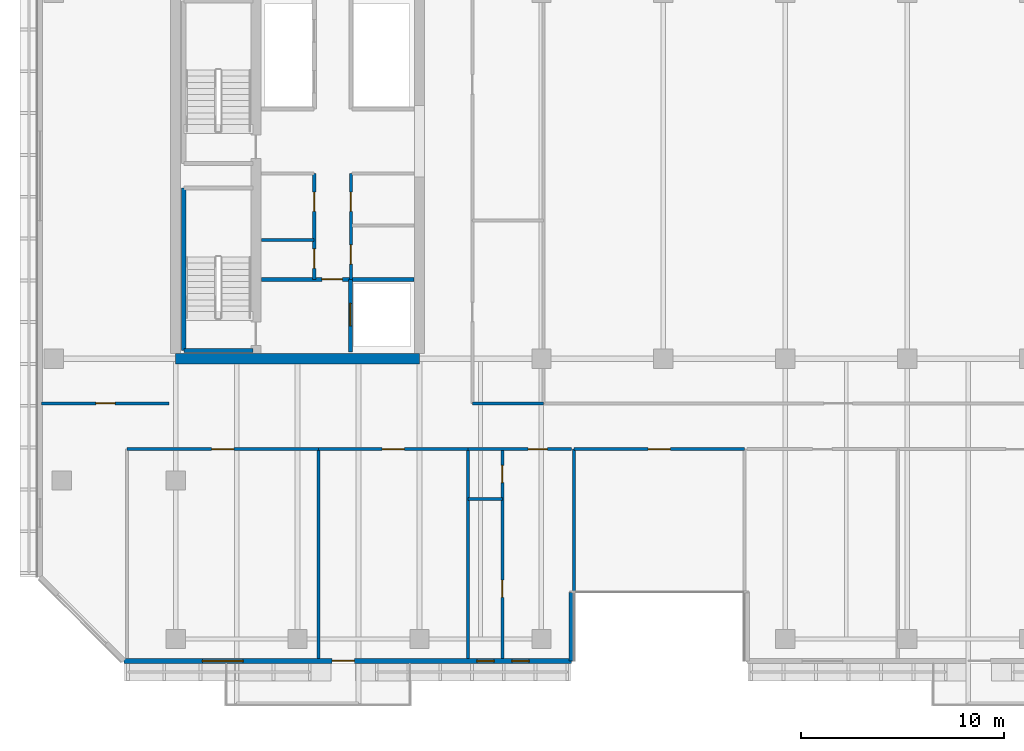
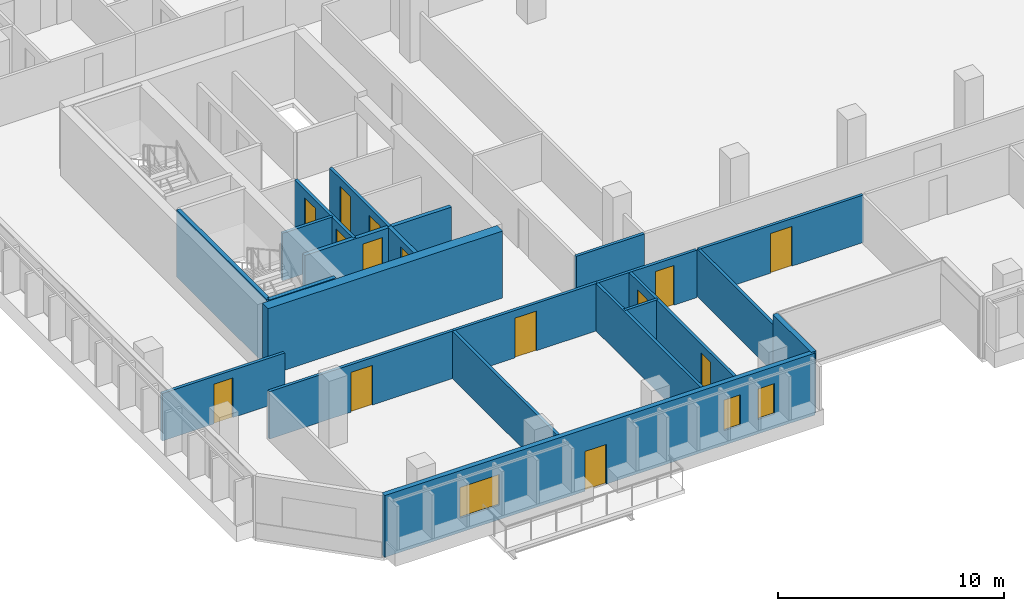
# One storey, part 10 of 23: 21 walls, 14 doors, 3 windows, 17 openings.
"""IFC4 building model written with IfcOpenShell, lengths in metres."""

import ifcopenshell
import ifcopenshell.guid

model = None  # the IFC model being written
_history = None  # IfcOwnerHistory: only IFC2X3 demands one
_inside = {}  # id of a spatial element -> (the spatial element, [elements in it])
_under = {}  # id of a project, library or spatial element -> (it, [spatial elements below it])
_declared = {}  # id of a project -> (the project, [libraries it declares])
_typed = {}  # id of a type object -> (the type object, [elements of that type])
_made_of = {}  # id of a material, layer set ... -> (it, [elements and type objects made of it])


def new_model(schema):
    """Start an empty IFC model of exactly this schema.

    Asked for "IFC4X3", IfcOpenShell would pick the latest addendum, in which some entities
    have other attributes; the version numbers below select the first issue.
    IFC2X3 requires an IfcOwnerHistory on every rooted entity: one is made here for all.
    """
    global model, _history
    if schema == "IFC4X3":
        model = ifcopenshell.file(schema_version=(4, 3, 0, 0))
    else:
        model = ifcopenshell.file(schema=schema)
    _inside.clear()
    _under.clear()
    _declared.clear()
    _typed.clear()
    _made_of.clear()
    _history = None
    if model.schema == "IFC2X3":
        org = make("IfcOrganization", Name="unknown")
        user = make(
            "IfcPersonAndOrganization",
            ThePerson=make("IfcPerson", FamilyName="unknown"),
            TheOrganization=org,
        )
        app = make(
            "IfcApplication",
            ApplicationDeveloper=org,
            Version="unknown",
            ApplicationFullName="unknown",
            ApplicationIdentifier="unknown",
        )
        _history = make(
            "IfcOwnerHistory",
            OwningUser=user,
            OwningApplication=app,
            ChangeAction="ADDED",
            CreationDate=0,
        )
    return model


def make(cls, **values):
    """One entity of the class cls with the attributes given. An attribute that is None is left unset."""
    return model.create_entity(
        cls, **{name: value for name, value in values.items() if value is not None}
    )


def rooted(cls, **values):
    """An entity with a GlobalId (a new one), such as an element, a storey or a relation."""
    return make(cls, GlobalId=ifcopenshell.guid.new(), OwnerHistory=_history, **values)


def si_unit(unit_type, name, prefix=None):
    """IfcSIUnit, for example si_unit("LENGTHUNIT", "METRE", prefix="MILLI")."""
    return make("IfcSIUnit", UnitType=unit_type, Prefix=prefix, Name=name)


def assignment(units):
    """IfcUnitAssignment: the units of a project."""
    return None if units is None else make("IfcUnitAssignment", Units=units)


def point(xyz):
    """IfcCartesianPoint."""
    return None if xyz is None else make("IfcCartesianPoint", Coordinates=xyz)


def direction(xyz):
    """IfcDirection."""
    return None if xyz is None else make("IfcDirection", DirectionRatios=xyz)


def frame(location, z_axis=None, x_axis=None):
    """IfcAxis2Placement3D, a coordinate frame: its origin and axes. An axis left out is left unset."""
    return make(
        "IfcAxis2Placement3D",
        Location=point(location),
        Axis=direction(z_axis),
        RefDirection=direction(x_axis),
    )


def frame_2d(location, x_axis=None):
    """IfcAxis2Placement2D, a coordinate frame in the plane: its origin and x axis."""
    return make(
        "IfcAxis2Placement2D", Location=point(location), RefDirection=direction(x_axis)
    )


def origin():
    """The frame at (0, 0, 0) with its axes left unset."""
    return frame((0.0, 0.0, 0.0))


def place(relative_to, where):
    """IfcLocalPlacement: puts the frame where relative to a parent placement (None: the world)."""
    return make(
        "IfcLocalPlacement", PlacementRelTo=relative_to, RelativePlacement=where
    )


def context(
    kind, dimensions, precision=None, world=None, true_north=None, identifier=None
):
    """IfcGeometricRepresentationContext, for example the 3D "Model" context."""
    return make(
        "IfcGeometricRepresentationContext",
        ContextIdentifier=identifier,
        ContextType=kind,
        CoordinateSpaceDimension=dimensions,
        Precision=precision,
        WorldCoordinateSystem=world,
        TrueNorth=true_north,
    )


def subcontext(parent, identifier, kind, view, scale=None):
    """IfcGeometricRepresentationSubContext, for example "Body" below "Model"."""
    return make(
        "IfcGeometricRepresentationSubContext",
        ContextIdentifier=identifier,
        ContextType=kind,
        ParentContext=parent,
        TargetScale=scale,
        TargetView=view,
    )


def project(units=None, contexts=None):
    """IfcProject with its units and contexts."""
    return rooted(
        "IfcProject",
        Name="project",
        RepresentationContexts=contexts,
        UnitsInContext=assignment(units),
    )


def spatial(cls, under=None, at=None, **own):
    """A site, building, storey or space (cls), placed at a placement, below another one or the project."""
    s = rooted(cls, ObjectPlacement=at, **own)
    if under is not None:
        _under.setdefault(under.id(), (under, []))[1].append(s)
    return s


def profile(cls, at=None, kind="AREA", **sizes):
    """A parametric profile (cls). Its sizes go by their IFC names, for example OverallWidth=200.0."""
    return make(cls, ProfileType=kind, Position=at, **sizes)


def rectangle(**sizes):
    """IfcRectangleProfileDef."""
    return profile("IfcRectangleProfileDef", **sizes)


def extrude(swept, where, along, depth):
    """IfcExtrudedAreaSolid: the profile swept, set in the frame where, extruded along a direction by depth."""
    return make(
        "IfcExtrudedAreaSolid",
        SweptArea=swept,
        Position=where,
        ExtrudedDirection=direction(along),
        Depth=depth,
    )


def shape(context_of_items, identifier, shape_type, items):
    """IfcShapeRepresentation: the items that make up one representation, for example the "Body"."""
    return make(
        "IfcShapeRepresentation",
        ContextOfItems=context_of_items,
        RepresentationIdentifier=identifier,
        RepresentationType=shape_type,
        Items=items,
    )


def material(Name=None, Category=None):
    """IfcMaterial."""
    return make("IfcMaterial", Name=Name, Category=Category)


def layer(
    of_material, thickness, ventilated=None, Name=None, Category=None, Priority=None
):
    """IfcMaterialLayer: one layer of a wall or slab, of a material (None: an air gap)."""
    return make(
        "IfcMaterialLayer",
        Material=of_material,
        LayerThickness=thickness,
        IsVentilated=ventilated,
        Name=Name,
        Category=Category,
        Priority=Priority,
    )


def layer_set(layers, Name=None):
    """IfcMaterialLayerSet."""
    return make("IfcMaterialLayerSet", MaterialLayers=layers, LayerSetName=Name)


def made_of(thing, what):
    """Note that an element or type object is made of a material, layer set ...; save() writes the relation."""
    if what is not None:
        _made_of.setdefault(what.id(), (what, []))[1].append(thing)
    return thing


def type_object(cls, material=None, **own):
    """A type object (cls), such as IfcWallType, which elements share."""
    return made_of(rooted(cls, **own), material)


def element(
    cls,
    number,
    at=None,
    inside=None,
    cuts=None,
    type_object=None,
    material=None,
    context=None,
    identifier="Body",
    shape_type=None,
    held_by="IfcProductDefinitionShape",
    body=None,
    shapes=None,
    **own,
):
    """One element of the class cls, such as IfcWall. Its Tag is "e" and its number.

    at: its placement. inside: the storey or other place that contains it. cuts: it is an
    opening in that element (IfcRelVoidsElement). A single representation is given by context,
    identifier, shape_type and body (its items); several are given by shapes. held_by: the class
    of the entity that holds the representations. save() writes the other relations.
    """
    e = rooted(cls, Tag="e%d" % number, ObjectPlacement=at, **own)
    if body is not None:
        shapes = [shape(context, identifier, shape_type, body)]
    if shapes is not None:
        e.Representation = make(held_by, Representations=shapes)
    if inside is not None:
        _inside.setdefault(inside.id(), (inside, []))[1].append(e)
    if cuts is not None:
        rooted(
            "IfcRelVoidsElement", RelatingBuildingElement=cuts, RelatedOpeningElement=e
        )
    if type_object is not None:
        _typed.setdefault(type_object.id(), (type_object, []))[1].append(e)
    return made_of(e, material)


def fill(opening, filler):
    """IfcRelFillsElement: the door or window that sits in an opening."""
    return rooted(
        "IfcRelFillsElement",
        RelatingOpeningElement=opening,
        RelatedBuildingElement=filler,
    )


def aggregate(whole, parts):
    """IfcRelAggregates: a whole, such as a stair, and the parts it consists of."""
    return rooted("IfcRelAggregates", RelatingObject=whole, RelatedObjects=parts)


def save(model, path):
    """Write the relations noted so far, then the file.

    IfcRelAggregates (storeys below a building ...), IfcRelContainedInSpatialStructure (elements
    in a storey), IfcRelDefinesByType, IfcRelAssociatesMaterial and IfcRelDeclares: one each for
    every whole, place, type object, material and project.
    """
    for whole, parts in _under.values():
        aggregate(whole, parts)
    for where, things in _inside.values():
        rooted(
            "IfcRelContainedInSpatialStructure",
            RelatedElements=things,
            RelatingStructure=where,
        )
    for kind, things in _typed.values():
        rooted("IfcRelDefinesByType", RelatedObjects=things, RelatingType=kind)
    for what, things in _made_of.values():
        rooted("IfcRelAssociatesMaterial", RelatedObjects=things, RelatingMaterial=what)
    for by, libraries in _declared.values():
        rooted("IfcRelDeclares", RelatingContext=by, RelatedDefinitions=libraries)
    model.write(path)


model = new_model("IFC4")

# Units and contexts
model_context = context("Model", 3, precision=1e-05, world=origin(), true_north=direction((0.0, 1.0)))
body_context = subcontext(model_context, "Body", "Model", "MODEL_VIEW")
ifc_project = project(units=[si_unit("LENGTHUNIT", "METRE"), si_unit("AREAUNIT", "SQUARE_METRE"), si_unit("VOLUMEUNIT", "CUBIC_METRE"), si_unit("PLANEANGLEUNIT", "RADIAN"), si_unit("MASSUNIT", "GRAM", prefix="KILO")], contexts=[model_context])

# Site, building, storey
site_placement = place(None, origin())
site = spatial("IfcSite", under=ifc_project, at=site_placement, CompositionType="ELEMENT")
building_placement = place(site_placement, origin())
building = spatial("IfcBuilding", under=site, at=building_placement, Name="Tanjung Sevakor Pilgrim Tower", CompositionType="ELEMENT")
storey_placement = place(building_placement, frame((0.0, 0.0, 119.4599609375)))
storey = spatial("IfcBuildingStorey", under=building, at=storey_placement, Name="L33", CompositionType="ELEMENT", Elevation=119.4599609375)

# Walls
ifc_material_1 = material(Name="Concrete C60/75", Category="concrete")
ifc_layer_1 = layer(ifc_material_1, 0.5)
ifc_layer_set_1 = layer_set([ifc_layer_1], Name="WALL-CW-500")
wall_type_1 = type_object("IfcWallType", Name="WALL-CW-500", PredefinedType="SHEAR", material=ifc_layer_set_1)
wall_1_placement = place(storey_placement, frame((24.0, 24.60009765625, 0.0), z_axis=(0.0, 0.0, 1.0), x_axis=(1.0, 0.0, 0.0)))
element("IfcWall", 1, at=wall_1_placement, inside=storey, type_object=wall_type_1, Name="L33 W Core South Shear Wall", PredefinedType="SHEAR", context=body_context, shape_type="SweptSolid", body=[
    extrude(rectangle(XDim=12.0, YDim=0.5, at=frame_2d((6.0, 0.0))), origin(), (0.0, 0.0, 1.0), 3.630126953125),
])
ifc_material_2 = material(Name="Concrete C40/50", Category="concrete")
ifc_layer_2 = layer(ifc_material_2, 0.14990234375)
ifc_layer_set_2 = layer_set([ifc_layer_2], Name="WT-COMP-150")
wall_type_2 = type_object("IfcWallType", Name="WT-COMP-150", PredefinedType="SOLIDWALL", material=ifc_layer_set_2)
wall_2_placement = place(storey_placement, frame((28.219970703125, 30.449951171875, 0.0), z_axis=(0.0, 0.0, 1.0), x_axis=(1.0, 0.0, 0.0)))
element("IfcWall", 2, at=wall_2_placement, inside=storey, type_object=wall_type_2, Name="L33 Partition IW-L33-003", PredefinedType="SOLIDWALL", context=body_context, shape_type="SweptSolid", body=[
    extrude(rectangle(XDim=2.580078125, YDim=0.14990234375, at=frame_2d((1.2900390625, 0.0))), origin(), (0.0, 0.0, 1.0), 2.570068359375),
])

# Wall, openings, doors
wall_3_placement = place(storey_placement, frame((30.820068359375, 28.5, 0.0), z_axis=(0.0, 0.0, 1.0), x_axis=(0.0, 1.0, 0.0)))
wall_3 = element("IfcWall", 3, at=wall_3_placement, inside=storey, type_object=wall_type_2, Name="L33 Partition IW-L33-005", PredefinedType="SOLIDWALL", context=body_context, shape_type="SweptSolid", body=[
    extrude(rectangle(XDim=5.219970703125, YDim=0.14990234375, at=frame_2d((2.60986328125, 0.0))), origin(), (0.0, 0.0, 1.0), 2.570068359375),
])
opening_1_placement = place(wall_3_placement, frame((0.550048828125, 0.0, 0.0)))
opening_1 = element("IfcOpeningElement", 4, at=opening_1_placement, cuts=wall_3, Name="Opening ID-FD2", PredefinedType="OPENING", context=body_context, shape_type="SweptSolid", body=[
    extrude(rectangle(XDim=0.949951171875, YDim=2.14990234375, at=frame_2d((0.47509765625, 1.074951171875))), frame((0.0, 0.0849609375, 0.0), z_axis=(0.0, -1.0, 0.0), x_axis=(1.0, 0.0, 0.0)), (0.0, 0.0, 1.0), 0.169921875),
])
opening_2_placement = place(wall_3_placement, frame((3.35009765625, 0.0, 0.0)))
opening_2 = element("IfcOpeningElement", 5, at=opening_2_placement, cuts=wall_3, Name="Opening ID-FD2", PredefinedType="OPENING", context=body_context, shape_type="SweptSolid", body=[
    extrude(rectangle(XDim=0.949951171875, YDim=2.14990234375, at=frame_2d((0.47509765625, 1.074951171875))), frame((0.0, 0.0849609375, 0.0), z_axis=(0.0, -1.0, 0.0), x_axis=(1.0, 0.0, 0.0)), (0.0, 0.0, 1.0), 0.169921875),
])
ifc_material_3 = material(Name="Fire-Rated Timber", Category="wood")
door_type_1 = type_object("IfcDoorType", Name="DT-FIRE-950", OperationType="NOTDEFINED", PredefinedType="DOOR", material=ifc_material_3)
door_1_placement = place(opening_1_placement, origin())
door_1 = element("IfcDoor", 6, at=door_1_placement, inside=storey, type_object=door_type_1, Name="L33 Cleaner Store Door", OperationType="SINGLE_SWING_LEFT", OverallHeight=2.14990234375, OverallWidth=0.949951171875, PredefinedType="DOOR", context=body_context, shape_type="SweptSolid", body=[
    extrude(rectangle(XDim=0.949951171875, YDim=2.14990234375, at=frame_2d((0.47509765625, 1.074951171875))), frame((0.0, 0.02490234375, 0.0), z_axis=(0.0, -1.0, 0.0), x_axis=(1.0, 0.0, 0.0)), (0.0, 0.0, 1.0), 0.050048828125),
])
fill(opening_1, door_1)
door_2_placement = place(opening_2_placement, origin())
door_2 = element("IfcDoor", 7, at=door_2_placement, inside=storey, type_object=door_type_1, Name="L33 Housekeeping Pantry Door", OperationType="SINGLE_SWING_RIGHT", OverallHeight=2.14990234375, OverallWidth=0.949951171875, PredefinedType="DOOR", context=body_context, shape_type="SweptSolid", body=[
    extrude(rectangle(XDim=0.949951171875, YDim=2.14990234375, at=frame_2d((0.47509765625, 1.074951171875))), frame((0.0, 0.02490234375, 0.0), z_axis=(0.0, -1.0, 0.0), x_axis=(1.0, 0.0, 0.0)), (0.0, 0.0, 1.0), 0.050048828125),
])
fill(opening_2, door_2)

wall_4_placement = place(storey_placement, frame((32.6201171875, 28.5, 0.0), z_axis=(0.0, 0.0, 1.0), x_axis=(0.0, 1.0, 0.0)))
wall_4 = element("IfcWall", 8, at=wall_4_placement, inside=storey, type_object=wall_type_2, Name="L33 Partition IW-L33-008", PredefinedType="SOLIDWALL", context=body_context, shape_type="SweptSolid", body=[
    extrude(rectangle(XDim=5.219970703125, YDim=0.14990234375, at=frame_2d((2.60986328125, 0.0))), origin(), (0.0, 0.0, 1.0), 2.570068359375),
])
opening_3_placement = place(wall_4_placement, frame((0.75, 0.0, 0.0)))
opening_3 = element("IfcOpeningElement", 9, at=opening_3_placement, cuts=wall_4, Name="Opening ID-FD2", PredefinedType="OPENING", context=body_context, shape_type="SweptSolid", body=[
    extrude(rectangle(XDim=0.949951171875, YDim=2.14990234375, at=frame_2d((0.47509765625, 1.074951171875))), frame((0.0, 0.0849609375, 0.0), z_axis=(0.0, -1.0, 0.0), x_axis=(1.0, 0.0, 0.0)), (0.0, 0.0, 1.0), 0.169921875),
])
opening_4_placement = place(wall_4_placement, frame((3.35009765625, 0.0, 0.0)))
opening_4 = element("IfcOpeningElement", 10, at=opening_4_placement, cuts=wall_4, Name="Opening ID-FD2", PredefinedType="OPENING", context=body_context, shape_type="SweptSolid", body=[
    extrude(rectangle(XDim=0.949951171875, YDim=2.14990234375, at=frame_2d((0.47509765625, 1.074951171875))), frame((0.0, 0.0849609375, 0.0), z_axis=(0.0, -1.0, 0.0), x_axis=(1.0, 0.0, 0.0)), (0.0, 0.0, 1.0), 0.169921875),
])
door_3_placement = place(opening_3_placement, origin())
door_3 = element("IfcDoor", 11, at=door_3_placement, inside=storey, type_object=door_type_1, Name="L33 Accessible WC Door", OperationType="SINGLE_SWING_LEFT", OverallHeight=2.14990234375, OverallWidth=0.949951171875, PredefinedType="DOOR", context=body_context, shape_type="SweptSolid", body=[
    extrude(rectangle(XDim=0.949951171875, YDim=2.14990234375, at=frame_2d((0.47509765625, 1.074951171875))), frame((0.0, 0.02490234375, 0.0), z_axis=(0.0, -1.0, 0.0), x_axis=(1.0, 0.0, 0.0)), (0.0, 0.0, 1.0), 0.050048828125),
])
fill(opening_3, door_3)
door_4_placement = place(opening_4_placement, origin())
door_4 = element("IfcDoor", 12, at=door_4_placement, inside=storey, type_object=door_type_1, Name="L33 Core Service Door", OperationType="SINGLE_SWING_RIGHT", OverallHeight=2.14990234375, OverallWidth=0.949951171875, PredefinedType="DOOR", context=body_context, shape_type="SweptSolid", body=[
    extrude(rectangle(XDim=0.949951171875, YDim=2.14990234375, at=frame_2d((0.47509765625, 1.074951171875))), frame((0.0, 0.02490234375, 0.0), z_axis=(0.0, -1.0, 0.0), x_axis=(1.0, 0.0, 0.0)), (0.0, 0.0, 1.0), 0.050048828125),
])
fill(opening_4, door_4)

# Wall
wall_5_placement = place(storey_placement, frame((38.60009765625, 22.39990234375, 0.0), z_axis=(0.0, 0.0, 1.0), x_axis=(1.0, 0.0, 0.0)))
element("IfcWall", 13, at=wall_5_placement, inside=storey, type_object=wall_type_2, Name="L33 Partition IW-L33-025", PredefinedType="SOLIDWALL", context=body_context, shape_type="SweptSolid", body=[
    extrude(rectangle(XDim=3.5, YDim=0.14990234375, at=frame_2d((1.75, 0.0))), origin(), (0.0, 0.0, 1.0), 2.570068359375),
])

# Wall, opening, door
wall_6_placement = place(storey_placement, frame((17.409912109375, 22.39990234375, 0.0), z_axis=(0.0, 0.0, 1.0), x_axis=(1.0, 0.0, 0.0)))
wall_6 = element("IfcWall", 14, at=wall_6_placement, inside=storey, type_object=wall_type_2, Name="L33 Partition IW-L33-039", PredefinedType="SOLIDWALL", context=body_context, shape_type="SweptSolid", body=[
    extrude(rectangle(XDim=6.27001953125, YDim=0.14990234375, at=frame_2d((3.135009765625, 0.0))), origin(), (0.0, 0.0, 1.0), 2.570068359375),
])
opening_5_placement = place(wall_6_placement, frame((2.659912109375, 0.0, 0.0)))
opening_5 = element("IfcOpeningElement", 15, at=opening_5_placement, cuts=wall_6, Name="Opening ID-FD2", PredefinedType="OPENING", context=body_context, shape_type="SweptSolid", body=[
    extrude(rectangle(XDim=0.949951171875, YDim=2.14990234375, at=frame_2d((0.47509765625, 1.074951171875))), frame((0.0, 0.0849609375, 0.0), z_axis=(0.0, -1.0, 0.0), x_axis=(1.0, 0.0, 0.0)), (0.0, 0.0, 1.0), 0.169921875),
])
door_5_placement = place(opening_5_placement, origin())
door_5 = element("IfcDoor", 16, at=door_5_placement, inside=storey, type_object=door_type_1, Name="Study Room Entrance", OperationType="SINGLE_SWING_RIGHT", OverallHeight=2.14990234375, OverallWidth=0.949951171875, PredefinedType="DOOR", context=body_context, shape_type="SweptSolid", body=[
    extrude(rectangle(XDim=0.949951171875, YDim=2.14990234375, at=frame_2d((0.47509765625, 1.074951171875))), frame((0.0, 0.02490234375, 0.0), z_axis=(0.0, -1.0, 0.0), x_axis=(1.0, 0.0, 0.0)), (0.0, 0.0, 1.0), 0.050048828125),
])
fill(opening_5, door_5)

wall_7_placement = place(storey_placement, frame((43.60009765625, 20.14990234375, 0.0), z_axis=(0.0, 0.0, 1.0), x_axis=(1.0, 0.0, 0.0)))
wall_7 = element("IfcWall", 17, at=wall_7_placement, inside=storey, type_object=wall_type_2, Name="L33 Partition IW-L33-047", PredefinedType="SOLIDWALL", context=body_context, shape_type="SweptSolid", body=[
    extrude(rectangle(XDim=8.39990234375, YDim=0.14990234375, at=frame_2d((4.199951171875, 0.0))), origin(), (0.0, 0.0, 1.0), 2.570068359375),
])
opening_6_placement = place(wall_7_placement, frame((3.64990234375, 0.0, 0.0)))
opening_6 = element("IfcOpeningElement", 18, at=opening_6_placement, cuts=wall_7, Name="Opening ID-RM2", PredefinedType="OPENING", context=body_context, shape_type="SweptSolid", body=[
    extrude(rectangle(XDim=1.10009765625, YDim=2.14990234375, at=frame_2d((0.550048828125, 1.074951171875))), frame((0.0, 0.0849609375, 0.0), z_axis=(0.0, -1.0, 0.0), x_axis=(1.0, 0.0, 0.0)), (0.0, 0.0, 1.0), 0.169921875),
])
ifc_material_4 = material(Name="Hardwood Timber", Category="wood")
door_type_2 = type_object("IfcDoorType", Name="DT-INT-1100", OperationType="NOTDEFINED", PredefinedType="DOOR", material=ifc_material_4)
door_6_placement = place(opening_6_placement, origin())
door_6 = element("IfcDoor", 19, at=door_6_placement, inside=storey, type_object=door_type_2, Name="L33 South Cleft Tea Sanctuary Door", OperationType="SINGLE_SWING_RIGHT", OverallHeight=2.14990234375, OverallWidth=1.10009765625, PredefinedType="DOOR", context=body_context, shape_type="SweptSolid", body=[
    extrude(rectangle(XDim=1.10009765625, YDim=2.14990234375, at=frame_2d((0.550048828125, 1.074951171875))), frame((0.0, 0.02490234375, 0.0), z_axis=(0.0, -1.0, 0.0), x_axis=(1.0, 0.0, 0.0)), (0.0, 0.0, 1.0), 0.050048828125),
])
fill(opening_6, door_6)

# Walls
for number, where, z_axis, x_axis, name in (
    (20, (43.60009765625, 9.85009765625, 0.0), (0.0, 0.0, 1.0), (0.0, 1.0, 0.0), "L33 Partition IW-L33-048"),
    (21, (31.031005859375, 9.85009765625, 0.0), (0.0, 0.0, 1.0), (0.0, 1.0, 0.0), "L33 Partition IW-L33-054"),
):
    element("IfcWall", number, at=place(storey_placement, frame(where, z_axis=z_axis, x_axis=x_axis)), inside=storey, type_object=wall_type_2, Name=name, PredefinedType="SOLIDWALL", context=body_context, shape_type="SweptSolid", body=[
        extrude(rectangle(XDim=10.2998046875, YDim=0.14990234375, at=frame_2d((5.14990234375, 0.0))), origin(), (0.0, 0.0, 1.0), 2.570068359375),
    ])

# Wall, opening, door
wall_8_placement = place(storey_placement, frame((21.60009765625, 20.14990234375, 0.0), z_axis=(0.0, 0.0, 1.0), x_axis=(1.0, 0.0, 0.0)))
wall_8 = element("IfcWall", 22, at=wall_8_placement, inside=storey, type_object=wall_type_2, Name="L33 Partition IW-L33-055", PredefinedType="SOLIDWALL", context=body_context, shape_type="SweptSolid", body=[
    extrude(rectangle(XDim=9.430908203125, YDim=0.14990234375, at=frame_2d((4.71533203125, 0.0))), origin(), (0.0, 0.0, 1.0), 2.570068359375),
])
opening_7_placement = place(wall_8_placement, frame((4.16552734375, 0.0, 0.0)))
opening_7 = element("IfcOpeningElement", 23, at=opening_7_placement, cuts=wall_8, Name="Opening ID-FD0", PredefinedType="OPENING", context=body_context, shape_type="SweptSolid", body=[
    extrude(rectangle(XDim=1.10009765625, YDim=2.14990234375, at=frame_2d((0.550048828125, 1.074951171875))), frame((0.0, 0.0849609375, 0.0), z_axis=(0.0, -1.0, 0.0), x_axis=(1.0, 0.0, 0.0)), (0.0, 0.0, 1.0), 0.169921875),
])
ifc_material_5 = material(Name="Fire-Rated Steel S355J2", Category="steel")
door_type_3 = type_object("IfcDoorType", Name="DT-FIRE-1100", OperationType="NOTDEFINED", PredefinedType="DOOR", material=ifc_material_5)
door_7_placement = place(opening_7_placement, origin())
door_7 = element("IfcDoor", 24, at=door_7_placement, inside=storey, type_object=door_type_3, Name="Communal Lounge Door", OperationType="SINGLE_SWING_RIGHT", OverallHeight=2.14990234375, OverallWidth=1.10009765625, PredefinedType="DOOR", context=body_context, shape_type="SweptSolid", body=[
    extrude(rectangle(XDim=1.10009765625, YDim=2.14990234375, at=frame_2d((0.550048828125, 1.074951171875))), frame((0.0, 0.02490234375, 0.0), z_axis=(0.0, -1.0, 0.0), x_axis=(1.0, 0.0, 0.0)), (0.0, 0.0, 1.0), 0.050048828125),
])
fill(opening_7, door_7)

# Wall
wall_9_placement = place(storey_placement, frame((38.38720703125, 9.85009765625, 0.0), z_axis=(0.0, 0.0, 1.0), x_axis=(0.0, 1.0, 0.0)))
element("IfcWall", 25, at=wall_9_placement, inside=storey, type_object=wall_type_2, Name="L33 Partition IW-L33-056", PredefinedType="SOLIDWALL", context=body_context, shape_type="SweptSolid", body=[
    extrude(rectangle(XDim=10.2998046875, YDim=0.14990234375, at=frame_2d((5.14990234375, 0.0))), origin(), (0.0, 0.0, 1.0), 2.570068359375),
])

# Wall, opening, door
wall_10_placement = place(storey_placement, frame((31.031005859375, 20.14990234375, 0.0), z_axis=(0.0, 0.0, 1.0), x_axis=(1.0, 0.0, 0.0)))
wall_10 = element("IfcWall", 26, at=wall_10_placement, inside=storey, type_object=wall_type_2, Name="L33 Partition IW-L33-057", PredefinedType="SOLIDWALL", context=body_context, shape_type="SweptSolid", body=[
    extrude(rectangle(XDim=7.356201171875, YDim=0.14990234375, at=frame_2d((3.67822265625, 0.0))), origin(), (0.0, 0.0, 1.0), 2.570068359375),
])
opening_8_placement = place(wall_10_placement, frame((3.128173828125, 0.0, 0.0)))
opening_8 = element("IfcOpeningElement", 27, at=opening_8_placement, cuts=wall_10, Name="Opening ID-FD0", PredefinedType="OPENING", context=body_context, shape_type="SweptSolid", body=[
    extrude(rectangle(XDim=1.10009765625, YDim=2.14990234375, at=frame_2d((0.550048828125, 1.074951171875))), frame((0.0, 0.0849609375, 0.0), z_axis=(0.0, -1.0, 0.0), x_axis=(1.0, 0.0, 0.0)), (0.0, 0.0, 1.0), 0.169921875),
])
door_8_placement = place(opening_8_placement, origin())
door_8 = element("IfcDoor", 28, at=door_8_placement, inside=storey, type_object=door_type_3, Name="Council Room Door", OperationType="SINGLE_SWING_LEFT", OverallHeight=2.14990234375, OverallWidth=1.10009765625, PredefinedType="DOOR", context=body_context, shape_type="SweptSolid", body=[
    extrude(rectangle(XDim=1.10009765625, YDim=2.14990234375, at=frame_2d((0.550048828125, 1.074951171875))), frame((0.0, 0.02490234375, 0.0), z_axis=(0.0, -1.0, 0.0), x_axis=(1.0, 0.0, 0.0)), (0.0, 0.0, 1.0), 0.050048828125),
])
fill(opening_8, door_8)

wall_11_placement = place(storey_placement, frame((38.38720703125, 20.14990234375, 0.0), z_axis=(0.0, 0.0, 1.0), x_axis=(1.0, 0.0, 0.0)))
wall_11 = element("IfcWall", 29, at=wall_11_placement, inside=storey, type_object=wall_type_2, Name="L33 Partition IW-L33-060", PredefinedType="SOLIDWALL", context=body_context, shape_type="SweptSolid", body=[
    extrude(rectangle(XDim=5.0927734375, YDim=0.14990234375, at=frame_2d((2.54638671875, 0.0))), origin(), (0.0, 0.0, 1.0), 2.570068359375),
])
opening_9_placement = place(wall_11_placement, frame((2.957763671875, 0.0, 0.0)))
opening_9 = element("IfcOpeningElement", 30, at=opening_9_placement, cuts=wall_11, Name="Opening ID-FD2", PredefinedType="OPENING", context=body_context, shape_type="SweptSolid", body=[
    extrude(rectangle(XDim=0.949951171875, YDim=2.14990234375, at=frame_2d((0.47509765625, 1.074951171875))), frame((0.0, 0.0849609375, 0.0), z_axis=(0.0, -1.0, 0.0), x_axis=(1.0, 0.0, 0.0)), (0.0, 0.0, 1.0), 0.169921875),
])
door_9_placement = place(opening_9_placement, origin())
door_9 = element("IfcDoor", 31, at=door_9_placement, inside=storey, type_object=door_type_1, Name="Hotel Guestroom Entrance", OperationType="SINGLE_SWING_RIGHT", OverallHeight=2.14990234375, OverallWidth=0.949951171875, PredefinedType="DOOR", context=body_context, shape_type="SweptSolid", body=[
    extrude(rectangle(XDim=0.949951171875, YDim=2.14990234375, at=frame_2d((0.47509765625, 1.074951171875))), frame((0.0, 0.02490234375, 0.0), z_axis=(0.0, -1.0, 0.0), x_axis=(1.0, 0.0, 0.0)), (0.0, 0.0, 1.0), 0.050048828125),
])
fill(opening_9, door_9)

# Wall, openings, door, windows
ifc_material_6 = material(Name="Precast concrete C45/55", Category="concrete")
ifc_layer_3 = layer(ifc_material_6, 0.25)
ifc_layer_set_3 = layer_set([ifc_layer_3], Name="WT-EW-STN3")
wall_type_3 = type_object("IfcWallType", Name="WT-EW-STN3", PredefinedType="SOLIDWALL", material=ifc_layer_set_3)
wall_12_placement = place(storey_placement, frame((21.451904296875, 9.72509765625, 0.0), z_axis=(0.0, 0.0, 1.0), x_axis=(1.0, 0.0, 0.0)))
wall_12 = element("IfcWall", 32, at=wall_12_placement, inside=storey, type_object=wall_type_3, Name="L33 MAIN Exterior Wall 1", PredefinedType="SOLIDWALL", context=body_context, shape_type="SweptSolid", body=[
    extrude(rectangle(XDim=22.023193359375, YDim=0.25, at=frame_2d((11.01171875, 0.0))), origin(), (0.0, 0.0, 1.0), 3.35009765625),
])
opening_10_placement = place(wall_12_placement, frame((10.248291015625, 0.0, 0.0)))
opening_10 = element("IfcOpeningElement", 33, at=opening_10_placement, cuts=wall_12, Name="Opening ED-BAL-1100", PredefinedType="OPENING", context=body_context, shape_type="SweptSolid", body=[
    extrude(rectangle(XDim=1.10009765625, YDim=2.14990234375, at=frame_2d((0.550048828125, 1.074951171875))), frame((0.0, 0.135009765625, 0.0), z_axis=(0.0, -1.0, 0.0), x_axis=(1.0, 0.0, 0.0)), (0.0, 0.0, 1.0), 0.27001953125),
])
opening_11_placement = place(wall_12_placement, frame((3.86376953125, 0.0, 0.780029296875)))
opening_11 = element("IfcOpeningElement", 34, at=opening_11_placement, cuts=wall_12, Name="Opening WN-Z2-1660", PredefinedType="OPENING", context=body_context, shape_type="SweptSolid", body=[
    extrude(rectangle(XDim=2.0, YDim=1.659912109375, at=frame_2d((1.0, 0.830078125))), frame((0.0, 0.135009765625, 0.0), z_axis=(0.0, -1.0, 0.0), x_axis=(1.0, 0.0, 0.0)), (0.0, 0.0, 1.0), 0.27001953125),
])
opening_12_placement = place(wall_12_placement, frame((17.36669921875, 0.0, 0.780029296875)))
opening_12 = element("IfcOpeningElement", 35, at=opening_12_placement, cuts=wall_12, Name="Opening WN-SLM", PredefinedType="OPENING", context=body_context, shape_type="SweptSolid", body=[
    extrude(rectangle(XDim=0.85009765625, YDim=1.64990234375, at=frame_2d((0.425048828125, 0.824951171875))), frame((0.0, 0.135009765625, 0.0), z_axis=(0.0, -1.0, 0.0), x_axis=(1.0, 0.0, 0.0)), (0.0, 0.0, 1.0), 0.27001953125),
])
opening_13_placement = place(wall_12_placement, frame((19.09326171875, 0.0, 0.780029296875)))
opening_13 = element("IfcOpeningElement", 36, at=opening_13_placement, cuts=wall_12, Name="Opening WN-SLM", PredefinedType="OPENING", context=body_context, shape_type="SweptSolid", body=[
    extrude(rectangle(XDim=0.85009765625, YDim=1.64990234375, at=frame_2d((0.425048828125, 0.824951171875))), frame((0.0, 0.135009765625, 0.0), z_axis=(0.0, -1.0, 0.0), x_axis=(1.0, 0.0, 0.0)), (0.0, 0.0, 1.0), 0.27001953125),
])
ifc_material_7 = material(Name="Anodised Aluminium and Laminated Glass", Category="aluminium")
door_type_4 = type_object("IfcDoorType", Name="DTYP-ED-BAL-1100", OperationType="NOTDEFINED", PredefinedType="DOOR", material=ifc_material_7)
door_10_placement = place(opening_10_placement, frame((1.10009765625, 0.0, 0.0), z_axis=(0.0, 0.0, 1.0), x_axis=(-1.0, 0.0, 0.0)))
door_10 = element("IfcDoor", 37, at=door_10_placement, inside=storey, type_object=door_type_4, Name="L33 Balcony Door MAIN-S1", OperationType="SINGLE_SWING_RIGHT", OverallHeight=2.14990234375, OverallWidth=1.10009765625, PredefinedType="DOOR", context=body_context, shape_type="SweptSolid", body=[
    extrude(rectangle(XDim=1.10009765625, YDim=2.14990234375, at=frame_2d((0.550048828125, 1.074951171875))), frame((0.0, 0.02490234375, 0.0), z_axis=(0.0, -1.0, 0.0), x_axis=(1.0, 0.0, 0.0)), (0.0, 0.0, 1.0), 0.050048828125),
])
fill(opening_10, door_10)
ifc_material_8 = material(Name="Thermally Broken Aluminium and Low-E Glass", Category="aluminium")
window_type_1 = type_object("IfcWindowType", Name="WTYP-WN-SLM", PartitioningType="SINGLE_PANEL", PredefinedType="WINDOW", material=ifc_material_8)
window_1_placement = place(opening_12_placement, origin())
window_1 = element("IfcWindow", 38, at=window_1_placement, inside=storey, type_object=window_type_1, Name="L33 Facade Window 02", OverallHeight=1.64990234375, OverallWidth=0.85009765625, PartitioningType="SINGLE_PANEL", PredefinedType="WINDOW", context=body_context, shape_type="SweptSolid", body=[
    extrude(rectangle(XDim=0.85009765625, YDim=1.64990234375, at=frame_2d((0.425048828125, 0.824951171875))), frame((0.0, 0.030029296875, 0.0), z_axis=(0.0, -1.0, 0.0), x_axis=(1.0, 0.0, 0.0)), (0.0, 0.0, 1.0), 0.06005859375),
])
fill(opening_12, window_1)
window_2_placement = place(opening_13_placement, origin())
window_2 = element("IfcWindow", 39, at=window_2_placement, inside=storey, type_object=window_type_1, Name="L33 Facade Window 03", OverallHeight=1.64990234375, OverallWidth=0.85009765625, PartitioningType="SINGLE_PANEL", PredefinedType="WINDOW", context=body_context, shape_type="SweptSolid", body=[
    extrude(rectangle(XDim=0.85009765625, YDim=1.64990234375, at=frame_2d((0.425048828125, 0.824951171875))), frame((0.0, 0.030029296875, 0.0), z_axis=(0.0, -1.0, 0.0), x_axis=(1.0, 0.0, 0.0)), (0.0, 0.0, 1.0), 0.06005859375),
])
fill(opening_13, window_2)
ifc_material_9 = material(Name="Thermally Broken Aluminium and Low-E Glass", Category="aluminium")
window_type_2 = type_object("IfcWindowType", Name="WTYP-WN-Z2-1660", PartitioningType="DOUBLE_PANEL_VERTICAL", PredefinedType="WINDOW", material=ifc_material_9)
window_3_placement = place(opening_11_placement, origin())
window_3 = element("IfcWindow", 40, at=window_3_placement, inside=storey, type_object=window_type_2, Name="L33 Facade Window 01", OverallHeight=1.659912109375, OverallWidth=2.0, PartitioningType="SINGLE_PANEL", PredefinedType="WINDOW", context=body_context, shape_type="SweptSolid", body=[
    extrude(rectangle(XDim=2.0, YDim=1.659912109375, at=frame_2d((1.0, 0.830078125))), frame((0.0, 0.030029296875, 0.0), z_axis=(0.0, -1.0, 0.0), x_axis=(1.0, 0.0, 0.0)), (0.0, 0.0, 1.0), 0.06005859375),
])
fill(opening_11, window_3)

# Walls
wall_13_placement = place(storey_placement, frame((43.47509765625, 9.72509765625, 0.0), z_axis=(0.0, 0.0, 1.0), x_axis=(0.0, 1.0, 0.0)))
element("IfcWall", 41, at=wall_13_placement, inside=storey, type_object=wall_type_3, Name="L33 MAIN Exterior Wall 2", PredefinedType="SOLIDWALL", context=body_context, shape_type="SweptSolid", body=[
    extrude(rectangle(XDim=3.39990234375, YDim=0.25, at=frame_2d((1.699951171875, 0.0))), origin(), (0.0, 0.0, 1.0), 3.35009765625),
])
ifc_material_10 = material(Name="Concrete C40/50", Category="concrete")
ifc_layer_4 = layer(ifc_material_10, 0.199951171875)
ifc_layer_set_4 = layer_set([ifc_layer_4], Name="WT-FIRE-200")
wall_type_4 = type_object("IfcWallType", Name="WT-FIRE-200", PredefinedType="SOLIDWALL", material=ifc_layer_set_4)
wall_14_placement = place(storey_placement, frame((24.39990234375, 25.0, 0.0), z_axis=(0.0, 0.0, 1.0), x_axis=(1.0, 0.0, 0.0)))
element("IfcWall", 42, at=wall_14_placement, inside=storey, type_object=wall_type_4, Name="L33 TS-W1 Shaft Wall 1", PredefinedType="SOLIDWALL", context=body_context, shape_type="SweptSolid", body=[
    extrude(rectangle(XDim=3.400146484375, YDim=0.199951171875, at=frame_2d((1.7001953125, 0.0))), origin(), (0.0, 0.0, 1.0), 3.630126953125),
])
wall_15_placement = place(storey_placement, frame((24.39990234375, 33.0, 0.0), z_axis=(0.0, 0.0, 1.0), x_axis=(0.0, -1.0, 0.0)))
element("IfcWall", 43, at=wall_15_placement, inside=storey, type_object=wall_type_4, Name="L33 TS-W1 Shaft Wall 3", PredefinedType="SOLIDWALL", context=body_context, shape_type="SweptSolid", body=[
    extrude(rectangle(XDim=8.0, YDim=0.199951171875, at=frame_2d((4.0, 0.0))), origin(), (0.0, 0.0, 1.0), 3.630126953125),
])

# Wall, opening, door
ifc_material_11 = material(Name="Concrete C40/50", Category="concrete")
ifc_layer_5 = layer(ifc_material_11, 0.199951171875)
ifc_layer_set_5 = layer_set([ifc_layer_5], Name="WT-FPRT-200")
wall_type_5 = type_object("IfcWallType", Name="WT-FPRT-200", PredefinedType="SOLIDWALL", material=ifc_layer_set_5)
wall_16_placement = place(storey_placement, frame((32.60009765625, 24.919921875, 0.0), z_axis=(0.0, 0.0, 1.0), x_axis=(0.0, 1.0, 0.0)))
wall_16 = element("IfcWall", 44, at=wall_16_placement, inside=storey, type_object=wall_type_5, Name="L33 Partition IW-L33-001", PredefinedType="SOLIDWALL", context=body_context, shape_type="SweptSolid", body=[
    extrude(rectangle(XDim=3.580078125, YDim=0.199951171875, at=frame_2d((1.7900390625, 0.0))), origin(), (0.0, 0.0, 1.0), 2.570068359375),
])
opening_14_placement = place(wall_16_placement, frame((1.300048828125, 0.0, 0.0)))
opening_14 = element("IfcOpeningElement", 45, at=opening_14_placement, cuts=wall_16, Name="Opening LD-1100", PredefinedType="OPENING", context=body_context, shape_type="SweptSolid", body=[
    extrude(rectangle(XDim=1.10009765625, YDim=2.199951171875, at=frame_2d((0.550048828125, 1.10009765625))), frame((0.0, 0.10986328125, 0.0), z_axis=(0.0, -1.0, 0.0), x_axis=(1.0, 0.0, 0.0)), (0.0, 0.0, 1.0), 0.219970703125),
])
ifc_material_12 = material(Name="Brushed Stainless Steel S355J2", Category="steel")
door_type_5 = type_object("IfcDoorType", Name="DT-LIFT-1100", OperationType="SLIDING_TO_LEFT", PredefinedType="DOOR", material=ifc_material_12)
door_11_placement = place(opening_14_placement, origin())
door_11 = element("IfcDoor", 46, at=door_11_placement, inside=storey, type_object=door_type_5, Name="LD-FL-W", OperationType="SLIDING_TO_LEFT", OverallHeight=2.199951171875, OverallWidth=1.10009765625, PredefinedType="DOOR", context=body_context, shape_type="SweptSolid", body=[
    extrude(rectangle(XDim=1.10009765625, YDim=2.199951171875, at=frame_2d((0.550048828125, 1.10009765625))), frame((0.0, 0.02490234375, 0.0), z_axis=(0.0, -1.0, 0.0), x_axis=(1.0, 0.0, 0.0)), (0.0, 0.0, 1.0), 0.050048828125),
])
fill(opening_14, door_11)

wall_17_placement = place(storey_placement, frame((28.219970703125, 28.5, 0.0), z_axis=(0.0, 0.0, 1.0), x_axis=(1.0, 0.0, 0.0)))
wall_17 = element("IfcWall", 47, at=wall_17_placement, inside=storey, type_object=wall_type_5, Name="L33 Partition IW-L33-002", PredefinedType="SOLIDWALL", context=body_context, shape_type="SweptSolid", body=[
    extrude(rectangle(XDim=7.510009765625, YDim=0.199951171875, at=frame_2d((3.7548828125, 0.0))), origin(), (0.0, 0.0, 1.0), 2.570068359375),
])
opening_15_placement = place(wall_17_placement, frame((2.97998046875, 0.0, 0.0)))
opening_15 = element("IfcOpeningElement", 48, at=opening_15_placement, cuts=wall_17, Name="Opening ID-FD1", PredefinedType="OPENING", context=body_context, shape_type="SweptSolid", body=[
    extrude(rectangle(XDim=1.0, YDim=2.14990234375, at=frame_2d((0.5, 1.074951171875))), frame((0.0, 0.10986328125, 0.0), z_axis=(0.0, -1.0, 0.0), x_axis=(1.0, 0.0, 0.0)), (0.0, 0.0, 1.0), 0.219970703125),
])
ifc_material_13 = material(Name="Fire-Rated Steel S355J2", Category="steel")
door_type_6 = type_object("IfcDoorType", Name="DT-FIRE-1000", OperationType="NOTDEFINED", PredefinedType="DOOR", material=ifc_material_13)
door_12_placement = place(opening_15_placement, origin())
door_12 = element("IfcDoor", 49, at=door_12_placement, inside=storey, type_object=door_type_6, Name="Fire Lobby Door W", OperationType="SINGLE_SWING_RIGHT", OverallHeight=2.14990234375, OverallWidth=1.0, PredefinedType="DOOR", context=body_context, shape_type="SweptSolid", body=[
    extrude(rectangle(XDim=1.0, YDim=2.14990234375, at=frame_2d((0.5, 1.074951171875))), frame((0.0, 0.02490234375, 0.0), z_axis=(0.0, -1.0, 0.0), x_axis=(1.0, 0.0, 0.0)), (0.0, 0.0, 1.0), 0.050048828125),
])
fill(opening_15, door_12)

# Wall
ifc_material_14 = material(Name="Gypsum Board Partition", Category="gypsum board")
ifc_layer_6 = layer(ifc_material_14, 0.14990234375)
ifc_layer_set_6 = layer_set([ifc_layer_6], Name="WT-PART-150")
wall_type_6 = type_object("IfcWallType", Name="WT-PART-150", PredefinedType="PARTITIONING", material=ifc_layer_set_6)
wall_18_placement = place(storey_placement, frame((38.38720703125, 17.699951171875, 0.0), z_axis=(0.0, 0.0, 1.0), x_axis=(1.0, 0.0, 0.0)))
element("IfcWall", 50, at=wall_18_placement, inside=storey, type_object=wall_type_6, Name="L33 Partition IW-L33-058", PredefinedType="PARTITIONING", context=body_context, shape_type="SweptSolid", body=[
    extrude(rectangle(XDim=1.69287109375, YDim=0.14990234375, at=frame_2d((0.846435546875, 0.0))), origin(), (0.0, 0.0, 1.0), 2.570068359375),
])

# Wall, openings, doors
wall_19_placement = place(storey_placement, frame((40.080078125, 9.85009765625, 0.0), z_axis=(0.0, 0.0, 1.0), x_axis=(0.0, 1.0, 0.0)))
wall_19 = element("IfcWall", 51, at=wall_19_placement, inside=storey, type_object=wall_type_6, Name="L33 Partition IW-L33-059", PredefinedType="PARTITIONING", context=body_context, shape_type="SweptSolid", body=[
    extrude(rectangle(XDim=10.2998046875, YDim=0.14990234375, at=frame_2d((5.14990234375, 0.0))), origin(), (0.0, 0.0, 1.0), 2.570068359375),
])
opening_16_placement = place(wall_19_placement, frame((3.0, 0.0, 0.0)))
opening_16 = element("IfcOpeningElement", 52, at=opening_16_placement, cuts=wall_19, Name="Opening ID-WC1", PredefinedType="OPENING", context=body_context, shape_type="SweptSolid", body=[
    extrude(rectangle(XDim=0.85009765625, YDim=2.10009765625, at=frame_2d((0.425048828125, 1.050048828125))), frame((0.0, 0.0849609375, 0.0), z_axis=(0.0, -1.0, 0.0), x_axis=(1.0, 0.0, 0.0)), (0.0, 0.0, 1.0), 0.169921875),
])
opening_17_placement = place(wall_19_placement, frame((8.64990234375, 0.0, 0.0)))
opening_17 = element("IfcOpeningElement", 53, at=opening_17_placement, cuts=wall_19, Name="Opening ID-WC1", PredefinedType="OPENING", context=body_context, shape_type="SweptSolid", body=[
    extrude(rectangle(XDim=0.85009765625, YDim=2.10009765625, at=frame_2d((0.425048828125, 1.050048828125))), frame((0.0, 0.0849609375, 0.0), z_axis=(0.0, -1.0, 0.0), x_axis=(1.0, 0.0, 0.0)), (0.0, 0.0, 1.0), 0.169921875),
])
ifc_material_15 = material(Name="Moisture-Resistant Timber", Category="wood")
door_type_7 = type_object("IfcDoorType", Name="DT-INT-850", OperationType="NOTDEFINED", PredefinedType="DOOR", material=ifc_material_15)
door_13_placement = place(opening_16_placement, origin())
door_13 = element("IfcDoor", 54, at=door_13_placement, inside=storey, type_object=door_type_7, Name="Study Nook Door", OperationType="SINGLE_SWING_RIGHT", OverallHeight=2.10009765625, OverallWidth=0.85009765625, PredefinedType="DOOR", context=body_context, shape_type="SweptSolid", body=[
    extrude(rectangle(XDim=0.85009765625, YDim=2.10009765625, at=frame_2d((0.425048828125, 1.050048828125))), frame((0.0, 0.02490234375, 0.0), z_axis=(0.0, -1.0, 0.0), x_axis=(1.0, 0.0, 0.0)), (0.0, 0.0, 1.0), 0.050048828125),
])
fill(opening_16, door_13)
door_14_placement = place(opening_17_placement, origin())
door_14 = element("IfcDoor", 55, at=door_14_placement, inside=storey, type_object=door_type_7, Name="Bathroom Door", OperationType="SINGLE_SWING_LEFT", OverallHeight=2.10009765625, OverallWidth=0.85009765625, PredefinedType="DOOR", context=body_context, shape_type="SweptSolid", body=[
    extrude(rectangle(XDim=0.85009765625, YDim=2.10009765625, at=frame_2d((0.425048828125, 1.050048828125))), frame((0.0, 0.02490234375, 0.0), z_axis=(0.0, -1.0, 0.0), x_axis=(1.0, 0.0, 0.0)), (0.0, 0.0, 1.0), 0.050048828125),
])
fill(opening_17, door_14)

save(model, "model.ifc")
